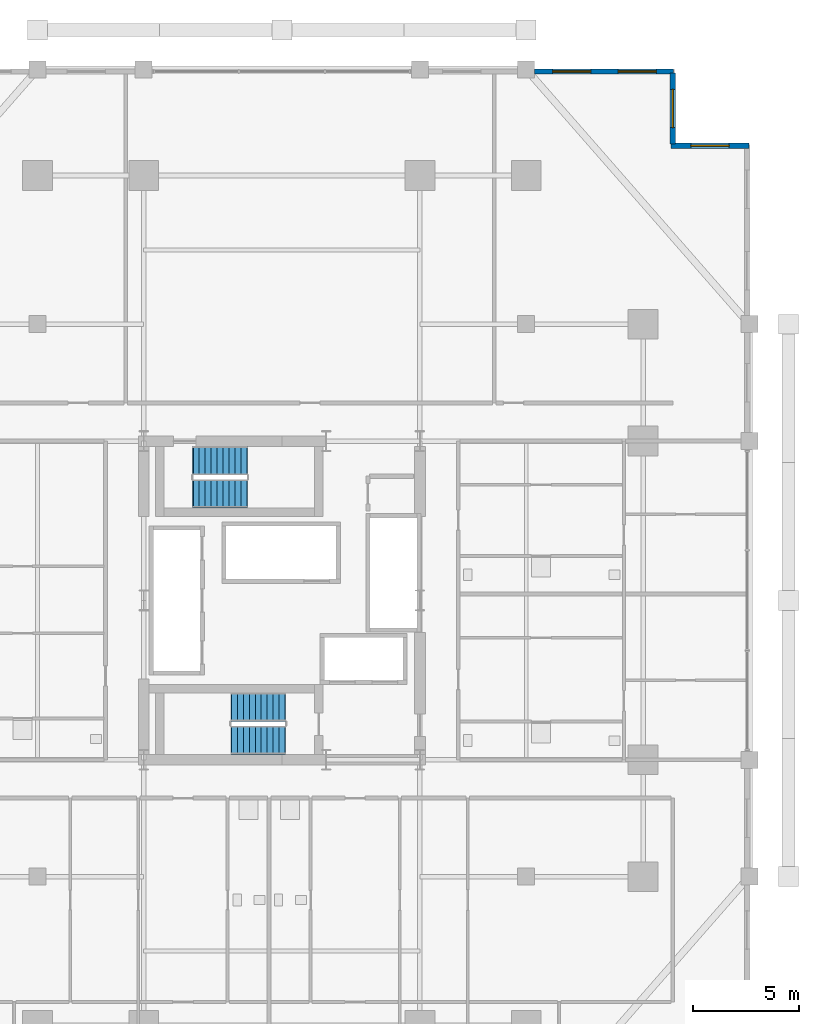
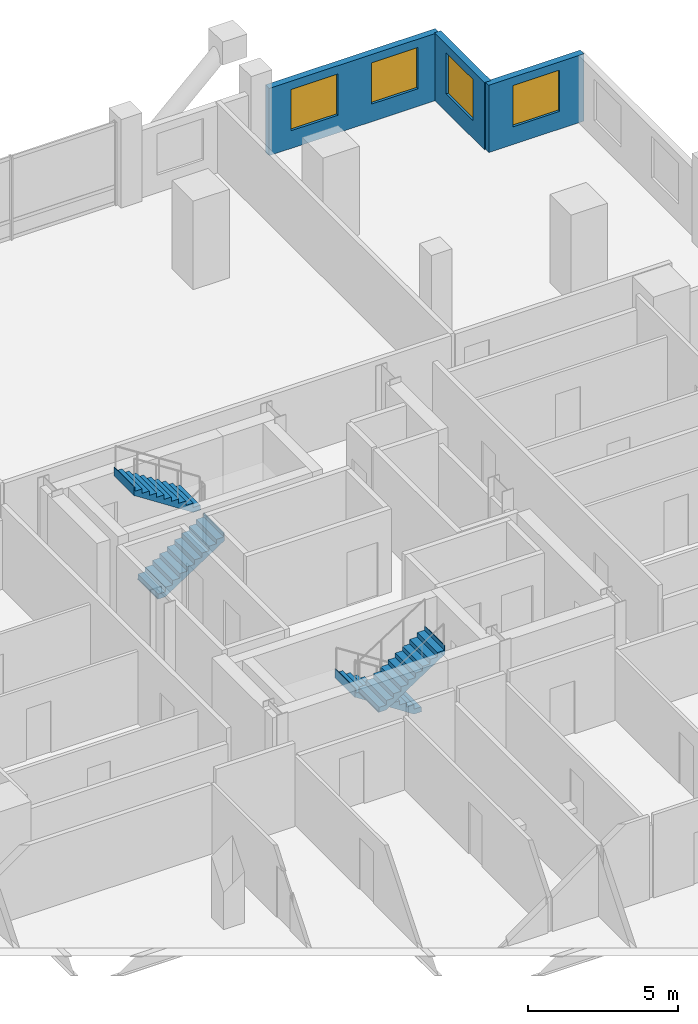
# One storey, part 21 of 23: 4 stair flights, 4 windows, 3 walls, 4 openings, 2 elements without a shape of their own.
"""IFC4 building model written with IfcOpenShell, lengths in metres."""

from ifc_helpers import new_model, si_unit, direction, frame, frame_2d, origin, place, context, subcontext, project, spatial, polyline, rectangle, outline, extrude, material, layer, layer_set, type_object, element, fill, aggregate, save


model = new_model("IFC4")

# Units and contexts
model_context = context("Model", 3, precision=1e-05, world=origin(), true_north=direction((0.0, 1.0)))
body_context = subcontext(model_context, "Body", "Model", "MODEL_VIEW")
ifc_project = project(units=[si_unit("LENGTHUNIT", "METRE"), si_unit("AREAUNIT", "SQUARE_METRE"), si_unit("VOLUMEUNIT", "CUBIC_METRE"), si_unit("PLANEANGLEUNIT", "RADIAN"), si_unit("MASSUNIT", "GRAM", prefix="KILO")], contexts=[model_context])

# Site, building, storey
site_placement = place(None, origin())
site = spatial("IfcSite", under=ifc_project, at=site_placement, CompositionType="ELEMENT")
building_placement = place(site_placement, origin())
building = spatial("IfcBuilding", under=site, at=building_placement, Name="Barlavira Tower and Art Museum", CompositionType="ELEMENT")
storey_placement = place(building_placement, frame((0.0, 0.0, 68.39990234375)))
storey = spatial("IfcBuildingStorey", under=building, at=storey_placement, Name="L16", CompositionType="ELEMENT", Elevation=68.39990234375)

# Wall, openings, windows
ifc_material_1 = material(Name="Precast concrete C40", Category="concrete")
ifc_layer = layer(ifc_material_1, 0.25, Name="Precast concrete C40")
ifc_layer_set = layer_set([ifc_layer], Name="Precast concrete C40")
wall_type = type_object("IfcWallType", Name="Notched Corner Spandrel Wall 250 Precast Concrete C40", PredefinedType="SOLIDWALL", material=ifc_layer_set)
wall_1_placement = place(storey_placement, frame((18.425048828125, 24.89990234375, 0.0), z_axis=(0.0, 0.0, 1.0), x_axis=(-1.0, 0.0, 0.0)))
wall_1 = element("IfcWall", 1, at=wall_1_placement, inside=storey, type_object=wall_type, Name="L16 Coastal Facade Pier Wall CW1-L16-N-1", PredefinedType="SOLIDWALL", context=body_context, shape_type="SweptSolid", body=[
    extrude(rectangle(XDim=6.530029296875, YDim=0.25, at=frame_2d((3.26513671875, 0.0))), origin(), (0.0, 0.0, 1.0), 2.736083984375),
])
opening_1_placement = place(wall_1_placement, frame((0.801025390625, 0.0, 0.719970703125)))
opening_1 = element("IfcOpeningElement", 2, at=opening_1_placement, cuts=wall_1, Name="Opening WN-01", PredefinedType="OPENING", context=body_context, shape_type="SweptSolid", body=[
    extrude(rectangle(XDim=1.800048828125, YDim=1.679931640625, at=frame_2d((0.89990234375, 0.83984375))), frame((0.0, 0.135009765625, 0.0), z_axis=(0.0, -1.0, 0.0), x_axis=(1.0, 0.0, 0.0)), (0.0, 0.0, 1.0), 0.27001953125),
])
opening_2_placement = place(wall_1_placement, frame((3.884033203125, 0.0, 0.719970703125)))
opening_2 = element("IfcOpeningElement", 3, at=opening_2_placement, cuts=wall_1, Name="Opening WN-01", PredefinedType="OPENING", context=body_context, shape_type="SweptSolid", body=[
    extrude(rectangle(XDim=1.800048828125, YDim=1.679931640625, at=frame_2d((0.89990234375, 0.83984375))), frame((0.0, 0.135009765625, 0.0), z_axis=(0.0, -1.0, 0.0), x_axis=(1.0, 0.0, 0.0)), (0.0, 0.0, 1.0), 0.27001953125),
])
ifc_material_2 = material(Name="Low-iron coastal laminated glass", Category="glass")
window_type = type_object("IfcWindowType", Name="Recessed Notch Corner Punch Window 1800x1680", PartitioningType="SINGLE_PANEL", PredefinedType="WINDOW", material=ifc_material_2)
window_1_placement = place(opening_1_placement, origin())
window_1 = element("IfcWindow", 4, at=window_1_placement, inside=storey, type_object=window_type, Name="L16 Punched Facade Window EWP-CW1-L16-N-1-1", OverallHeight=1.679931640625, OverallWidth=1.800048828125, PartitioningType="SINGLE_PANEL", PredefinedType="WINDOW", context=body_context, shape_type="SweptSolid", body=[
    extrude(rectangle(XDim=1.800048828125, YDim=1.679931640625, at=frame_2d((0.89990234375, 0.83984375))), frame((0.0, 0.030029296875, 0.0), z_axis=(0.0, -1.0, 0.0), x_axis=(1.0, 0.0, 0.0)), (0.0, 0.0, 1.0), 0.06005859375),
])
fill(opening_1, window_1)
window_2_placement = place(opening_2_placement, origin())
window_2 = element("IfcWindow", 5, at=window_2_placement, inside=storey, type_object=window_type, Name="L16 Punched Facade Window EWP-CW1-L16-N-1-2", OverallHeight=1.679931640625, OverallWidth=1.800048828125, PartitioningType="SINGLE_PANEL", PredefinedType="WINDOW", context=body_context, shape_type="SweptSolid", body=[
    extrude(rectangle(XDim=1.800048828125, YDim=1.679931640625, at=frame_2d((0.89990234375, 0.83984375))), frame((0.0, 0.030029296875, 0.0), z_axis=(0.0, -1.0, 0.0), x_axis=(1.0, 0.0, 0.0)), (0.0, 0.0, 1.0), 0.06005859375),
])
fill(opening_2, window_2)

# Wall, opening, window
wall_2_placement = place(storey_placement, frame((21.97998046875, 21.39990234375, 0.0), z_axis=(0.0, 0.0, 1.0), x_axis=(-1.0, 0.0, 0.0)))
wall_2 = element("IfcWall", 6, at=wall_2_placement, inside=storey, type_object=wall_type, Name="L16 Notch Corner Wall NE1", PredefinedType="SOLIDWALL", context=body_context, shape_type="SweptSolid", body=[
    extrude(rectangle(XDim=3.659912109375, YDim=0.25, at=frame_2d((1.830078125, 0.0))), origin(), (0.0, 0.0, 1.0), 2.736083984375),
])
opening_3_placement = place(wall_2_placement, frame((0.929931640625, 0.0, 0.719970703125)))
opening_3 = element("IfcOpeningElement", 7, at=opening_3_placement, cuts=wall_2, Name="Opening WN-01", PredefinedType="OPENING", context=body_context, shape_type="SweptSolid", body=[
    extrude(rectangle(XDim=1.800048828125, YDim=1.679931640625, at=frame_2d((0.89990234375, 0.83984375))), frame((0.0, 0.135009765625, 0.0), z_axis=(0.0, -1.0, 0.0), x_axis=(1.0, 0.0, 0.0)), (0.0, 0.0, 1.0), 0.27001953125),
])
window_3_placement = place(opening_3_placement, origin())
window_3 = element("IfcWindow", 8, at=window_3_placement, inside=storey, type_object=window_type, Name="L16 Punched Facade Window EW-NTC-L16-NE1-1", OverallHeight=1.679931640625, OverallWidth=1.800048828125, PartitioningType="SINGLE_PANEL", PredefinedType="WINDOW", context=body_context, shape_type="SweptSolid", body=[
    extrude(rectangle(XDim=1.800048828125, YDim=1.679931640625, at=frame_2d((0.89990234375, 0.83984375))), frame((0.0, 0.030029296875, 0.0), z_axis=(0.0, -1.0, 0.0), x_axis=(1.0, 0.0, 0.0)), (0.0, 0.0, 1.0), 0.06005859375),
])
fill(opening_3, window_3)

wall_3_placement = place(storey_placement, frame((18.39990234375, 21.47998046875, 0.0), z_axis=(0.0, 0.0, 1.0), x_axis=(0.0, 1.0, 0.0)))
wall_3 = element("IfcWall", 9, at=wall_3_placement, inside=storey, type_object=wall_type, Name="L16 Notch Corner Wall NE2", PredefinedType="SOLIDWALL", context=body_context, shape_type="SweptSolid", body=[
    extrude(rectangle(XDim=3.340087890625, YDim=0.25, at=frame_2d((1.669921875, 0.0))), origin(), (0.0, 0.0, 1.0), 2.736083984375),
])
opening_4_placement = place(wall_3_placement, frame((0.77001953125, 0.0, 0.719970703125)))
opening_4 = element("IfcOpeningElement", 10, at=opening_4_placement, cuts=wall_3, Name="Opening WN-01", PredefinedType="OPENING", context=body_context, shape_type="SweptSolid", body=[
    extrude(rectangle(XDim=1.800048828125, YDim=1.679931640625, at=frame_2d((0.89990234375, 0.83984375))), frame((0.0, 0.135009765625, 0.0), z_axis=(0.0, -1.0, 0.0), x_axis=(1.0, 0.0, 0.0)), (0.0, 0.0, 1.0), 0.27001953125),
])
window_4_placement = place(opening_4_placement, origin())
window_4 = element("IfcWindow", 11, at=window_4_placement, inside=storey, type_object=window_type, Name="L16 Punched Facade Window EW-NTC-L16-NE2-1", OverallHeight=1.679931640625, OverallWidth=1.800048828125, PartitioningType="SINGLE_PANEL", PredefinedType="WINDOW", context=body_context, shape_type="SweptSolid", body=[
    extrude(rectangle(XDim=1.800048828125, YDim=1.679931640625, at=frame_2d((0.89990234375, 0.83984375))), frame((0.0, 0.030029296875, 0.0), z_axis=(0.0, -1.0, 0.0), x_axis=(1.0, 0.0, 0.0)), (0.0, 0.0, 1.0), 0.06005859375),
])
fill(opening_4, window_4)

# Stair, stair flights
ifc_material_3 = material(Name="Concrete C45", Category="concrete")
stair_type_1 = type_object("IfcStairType", Name="Tower North Dog-Leg Exit Stair Assembly Concrete C45", PredefinedType="TWO_QUARTER_TURN_STAIR", material=ifc_material_3)
stair_1_placement = place(storey_placement, origin())
stair_1 = element("IfcStair", 12, at=stair_1_placement, inside=storey, type_object=stair_type_1, Name="L16 Tower North Exit Stair ST-T2", PredefinedType="TWO_QUARTER_TURN_STAIR")
ifc_material_4 = material(Name="Precast concrete C45", Category="concrete")
stair_flight_type_1 = type_object("IfcStairFlightType", Name="Tower North Dog-Leg Exit Stair Precast Flight 1350 Concrete C45", PredefinedType="STRAIGHT", material=ifc_material_4)
stair_flight_1_placement = place(storey_placement, frame((-4.169921875, 5.02490234375, 0.0), z_axis=(0.0, 0.0, 1.0), x_axis=(1.0, 0.0, 0.0)))
stair_flight_1 = element("IfcStairFlight", 13, at=stair_flight_1_placement, type_object=stair_flight_type_1, Name="ST-T2 flight 1", NumberOfRisers=10, NumberOfTreads=9, PredefinedType="STRAIGHT", RiserHeight=0.18, TreadLength=0.28, context=body_context, shape_type="SweptSolid", body=[
    extrude(outline(polyline([(-0.02490234375, 0.0), (0.0, 0.0), (0.0, 0.179931640625), (0.280029296875, 0.179931640625), (0.280029296875, 0.360107421875), (0.56005859375, 0.360107421875), (0.56005859375, 0.5400390625), (0.840087890625, 0.5400390625), (0.840087890625, 0.719970703125), (1.1201171875, 0.719970703125), (1.1201171875, 0.89990234375), (1.39990234375, 0.89990234375), (1.39990234375, 1.080078125), (1.679931640625, 1.080078125), (1.679931640625, 1.260009765625), (1.9599609375, 1.260009765625), (1.9599609375, 1.43994140625), (2.239990234375, 1.43994140625), (2.239990234375, 1.6201171875), (2.52001953125, 1.6201171875), (2.52001953125, 1.800048828125), (2.544921875, 1.800048828125), (2.544921875, 1.44189453125), (2.52001953125, 1.44189453125), (0.277099609375, -0.02490234375), (-0.02490234375, -0.02490234375), (-0.02490234375, 0.0)])), frame((0.0, 0.675048828125, 0.0), z_axis=(0.0, -1.0, 0.0), x_axis=(1.0, 0.0, 0.0)), (0.0, 0.0, 1.0), 1.35009765625),
])
stair_flight_2_placement = place(storey_placement, frame((-1.64990234375, 6.574951171875, 1.800048828125), z_axis=(0.0, 0.0, 1.0), x_axis=(-1.0, 0.0, 0.0)))
stair_flight_2 = element("IfcStairFlight", 14, at=stair_flight_2_placement, type_object=stair_flight_type_1, Name="ST-T2 flight 2", NumberOfRisers=10, NumberOfTreads=9, PredefinedType="STRAIGHT", RiserHeight=0.18, TreadLength=0.28, context=body_context, shape_type="SweptSolid", body=[
    extrude(outline(polyline([(-0.02490234375, 0.0), (0.0, 0.0), (0.0, 0.179931640625), (0.280029296875, 0.179931640625), (0.280029296875, 0.360107421875), (0.56005859375, 0.360107421875), (0.56005859375, 0.5400390625), (0.840087890625, 0.5400390625), (0.840087890625, 0.719970703125), (1.1201171875, 0.719970703125), (1.1201171875, 0.89990234375), (1.39990234375, 0.89990234375), (1.39990234375, 1.080078125), (1.679931640625, 1.080078125), (1.679931640625, 1.260009765625), (1.9599609375, 1.260009765625), (1.9599609375, 1.43994140625), (2.239990234375, 1.43994140625), (2.239990234375, 1.6201171875), (2.52001953125, 1.6201171875), (2.52001953125, 1.800048828125), (2.544921875, 1.800048828125), (2.544921875, 1.44189453125), (2.52001953125, 1.44189453125), (0.277099609375, -0.02490234375), (-0.02490234375, -0.02490234375), (-0.02490234375, 0.0)])), frame((0.0, 0.675048828125, 0.0), z_axis=(0.0, -1.0, 0.0), x_axis=(1.0, 0.0, 0.0)), (0.0, 0.0, 1.0), 1.35009765625),
])
aggregate(stair_1, [stair_flight_1, stair_flight_2])

stair_type_2 = type_object("IfcStairType", Name="Tower South Dog-Leg Exit Stair Assembly Concrete C45", PredefinedType="TWO_QUARTER_TURN_STAIR", material=ifc_material_3)
stair_2_placement = place(storey_placement, origin())
stair_2 = element("IfcStair", 15, at=stair_2_placement, inside=storey, type_object=stair_type_2, Name="L16 Tower South Exit Stair ST-T1", PredefinedType="TWO_QUARTER_TURN_STAIR")
stair_flight_type_2 = type_object("IfcStairFlightType", Name="Tower South Dog-Leg Exit Stair Precast Flight 1350 Concrete C45", PredefinedType="STRAIGHT", material=ifc_material_4)
stair_flight_3_placement = place(storey_placement, frame((0.14990234375, -5.02490234375, 0.0), z_axis=(0.0, 0.0, 1.0), x_axis=(-1.0, 0.0, 0.0)))
stair_flight_3 = element("IfcStairFlight", 16, at=stair_flight_3_placement, type_object=stair_flight_type_2, Name="ST-T1 flight 1", NumberOfRisers=10, NumberOfTreads=9, PredefinedType="STRAIGHT", RiserHeight=0.18, TreadLength=0.28, context=body_context, shape_type="SweptSolid", body=[
    extrude(outline(polyline([(-0.02490234375, 0.0), (0.0, 0.0), (0.0, 0.179931640625), (0.280029296875, 0.179931640625), (0.280029296875, 0.360107421875), (0.56005859375, 0.360107421875), (0.56005859375, 0.5400390625), (0.840087890625, 0.5400390625), (0.840087890625, 0.719970703125), (1.1201171875, 0.719970703125), (1.1201171875, 0.89990234375), (1.39990234375, 0.89990234375), (1.39990234375, 1.080078125), (1.679931640625, 1.080078125), (1.679931640625, 1.260009765625), (1.9599609375, 1.260009765625), (1.9599609375, 1.43994140625), (2.239990234375, 1.43994140625), (2.239990234375, 1.6201171875), (2.52001953125, 1.6201171875), (2.52001953125, 1.800048828125), (2.544921875, 1.800048828125), (2.544921875, 1.44189453125), (2.52001953125, 1.44189453125), (0.277099609375, -0.02490234375), (-0.02490234375, -0.02490234375), (-0.02490234375, 0.0)])), frame((0.0, 0.675048828125, 0.0), z_axis=(0.0, -1.0, 0.0), x_axis=(1.0, 0.0, 0.0)), (0.0, 0.0, 1.0), 1.35009765625),
])
stair_flight_4_placement = place(storey_placement, frame((-2.3701171875, -6.574951171875, 1.800048828125), z_axis=(0.0, 0.0, 1.0), x_axis=(1.0, 0.0, 0.0)))
stair_flight_4 = element("IfcStairFlight", 17, at=stair_flight_4_placement, type_object=stair_flight_type_2, Name="ST-T1 flight 2", NumberOfRisers=10, NumberOfTreads=9, PredefinedType="STRAIGHT", RiserHeight=0.18, TreadLength=0.28, context=body_context, shape_type="SweptSolid", body=[
    extrude(outline(polyline([(-0.02490234375, 0.0), (0.0, 0.0), (0.0, 0.179931640625), (0.280029296875, 0.179931640625), (0.280029296875, 0.360107421875), (0.56005859375, 0.360107421875), (0.56005859375, 0.5400390625), (0.840087890625, 0.5400390625), (0.840087890625, 0.719970703125), (1.1201171875, 0.719970703125), (1.1201171875, 0.89990234375), (1.39990234375, 0.89990234375), (1.39990234375, 1.080078125), (1.679931640625, 1.080078125), (1.679931640625, 1.260009765625), (1.9599609375, 1.260009765625), (1.9599609375, 1.43994140625), (2.239990234375, 1.43994140625), (2.239990234375, 1.6201171875), (2.52001953125, 1.6201171875), (2.52001953125, 1.800048828125), (2.544921875, 1.800048828125), (2.544921875, 1.44189453125), (2.52001953125, 1.44189453125), (0.277099609375, -0.02490234375), (-0.02490234375, -0.02490234375), (-0.02490234375, 0.0)])), frame((0.0, 0.675048828125, 0.0), z_axis=(0.0, -1.0, 0.0), x_axis=(1.0, 0.0, 0.0)), (0.0, 0.0, 1.0), 1.35009765625),
])
aggregate(stair_2, [stair_flight_3, stair_flight_4])

save(model, "model.ifc")
